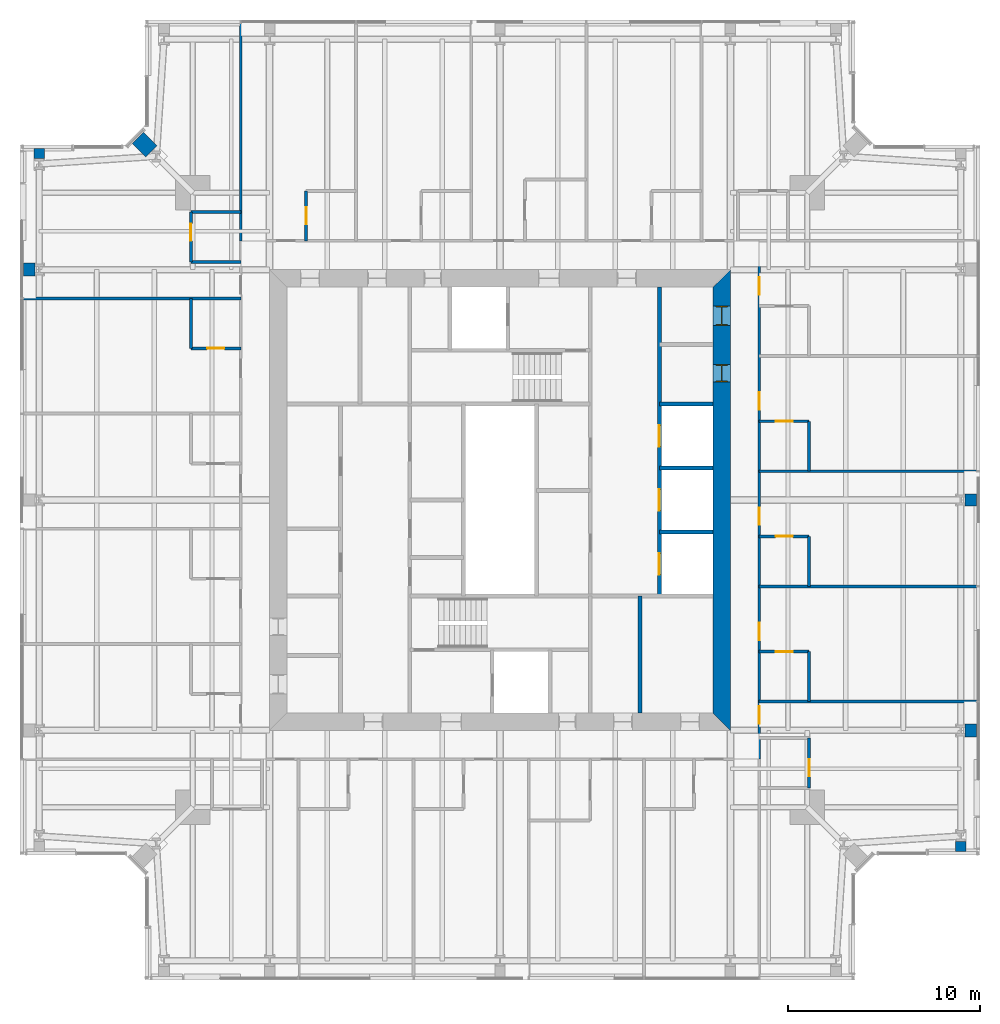
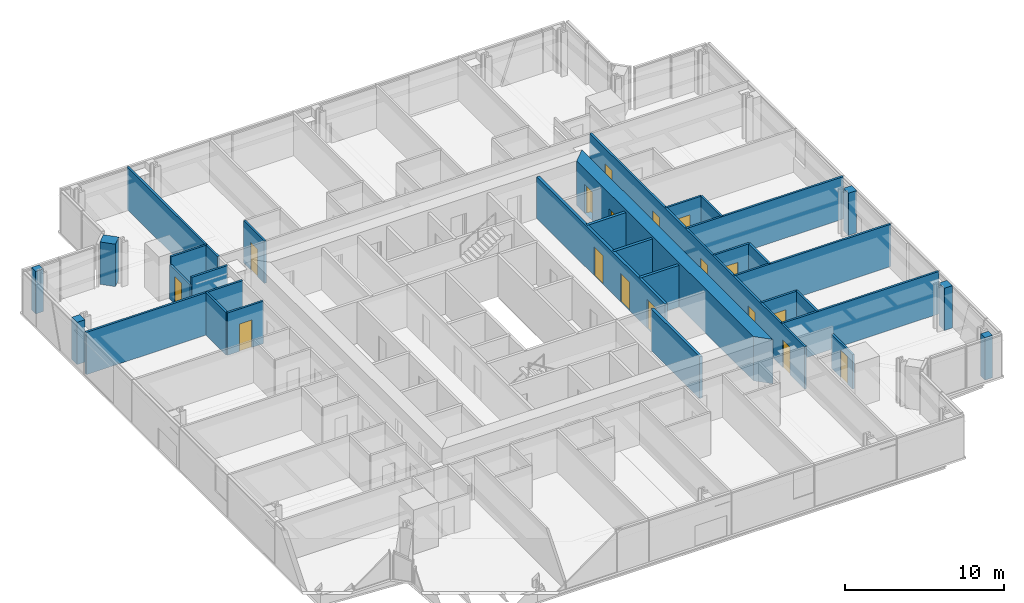
# One storey, part 13 of 20: 31 walls, 17 doors, 17 openings.
"""IFC4 building model written with IfcOpenShell, lengths in metres."""

from ifc_helpers import new_model, si_unit, direction, frame, frame_2d, origin, place, context, subcontext, project, spatial, polyline, rectangle, outline, extrude, material, layer, layer_set, type_object, element, fill, save


model = new_model("IFC4")

# Units and contexts
model_context = context("Model", 3, precision=1e-05, world=origin(), true_north=direction((0.0, 1.0)))
body_context = subcontext(model_context, "Body", "Model", "MODEL_VIEW")
ifc_project = project(units=[si_unit("LENGTHUNIT", "METRE"), si_unit("AREAUNIT", "SQUARE_METRE"), si_unit("VOLUMEUNIT", "CUBIC_METRE"), si_unit("PLANEANGLEUNIT", "RADIAN"), si_unit("MASSUNIT", "GRAM", prefix="KILO")], contexts=[model_context])

# Site, building, storey
site_placement = place(None, origin())
site = spatial("IfcSite", under=ifc_project, at=site_placement, CompositionType="ELEMENT")
building_placement = place(site_placement, origin())
building = spatial("IfcBuilding", under=site, at=building_placement, Name="Fenwick Lantern Interchange", CompositionType="ELEMENT")
storey_placement = place(building_placement, frame((0.0, 0.0, 249.199951171875)))
storey = spatial("IfcBuildingStorey", under=building, at=storey_placement, Name="L58", CompositionType="ELEMENT", Elevation=249.199951171875)

# Walls
ifc_material_1 = material(Name="Fire-rated gypsum board encasement on steel studs, 2 hour", Category="steel")
ifc_layer_1 = layer(ifc_material_1, 0.554931640625)
ifc_layer_set_1 = layer_set([ifc_layer_1], Name="COLUMN PIER 555")
wall_type_1 = type_object("IfcWallType", Name="COLUMN PIER 555", PredefinedType="PARTITIONING", material=ifc_layer_set_1)
for number, where, z_axis, x_axis, name in (
    (1, (49.0, 6.68994140625, 0.0), (0.0, 0.0, 1.0), (0.0, 1.0, 0.0), "L58/W/PIER/CE1"),
    (2, (1.0, 43.31005859375, 0.0), (0.0, 0.0, 1.0), (0.0, -1.0, 0.0), "L58/W/PIER/CW1"),
):
    element("IfcWall", number, at=place(storey_placement, frame(where, z_axis=z_axis, x_axis=x_axis)), inside=storey, type_object=wall_type_1, Name=name, PredefinedType="PARTITIONING", context=body_context, shape_type="SweptSolid", body=[
        extrude(rectangle(XDim=0.525634765625, YDim=0.554931640625, at=frame_2d((0.2626953125, 0.0))), origin(), (0.0, 0.0, 1.0), 3.25),
    ])
ifc_layer_2 = layer(ifc_material_1, 0.631103515625)
ifc_layer_set_2 = layer_set([ifc_layer_2], Name="COLUMN PIER 631")
wall_type_2 = type_object("IfcWallType", Name="COLUMN PIER 631", PredefinedType="PARTITIONING", material=ifc_layer_set_2)
wall_1_placement = place(storey_placement, frame((49.81005859375, 25.0, 0.0), z_axis=(0.0, 0.0, 1.0), x_axis=(-1.0, 0.0, 0.0)))
element("IfcWall", 3, at=wall_1_placement, inside=storey, type_object=wall_type_2, Name="L58/W/PIER/CE3", PredefinedType="PARTITIONING", context=body_context, shape_type="SweptSolid", body=[
    extrude(rectangle(XDim=0.589111328125, YDim=0.631103515625, at=frame_2d((0.29443359375, 0.0))), origin(), (0.0, 0.0, 1.0), 3.25),
])
ifc_layer_3 = layer(ifc_material_1, 0.6689453125)
ifc_layer_set_3 = layer_set([ifc_layer_3], Name="COLUMN PIER 669")
wall_type_3 = type_object("IfcWallType", Name="COLUMN PIER 669", PredefinedType="PARTITIONING", material=ifc_layer_set_3)
for number, where, z_axis, x_axis, name in (
    (4, (49.81005859375, 13.0, 0.0), (0.0, 0.0, 1.0), (-1.0, 0.0, 0.0), "L58/W/PIER/CE2"),
    (5, (0.18994140625, 37.0, 0.0), (0.0, 0.0, 1.0), (1.0, 0.0, 0.0), "L58/W/PIER/CW2"),
):
    element("IfcWall", number, at=place(storey_placement, frame(where, z_axis=z_axis, x_axis=x_axis)), inside=storey, type_object=wall_type_3, Name=name, PredefinedType="PARTITIONING", context=body_context, shape_type="SweptSolid", body=[
        extrude(rectangle(XDim=0.582763671875, YDim=0.6689453125, at=frame_2d((0.29150390625, 0.0))), origin(), (0.0, 0.0, 1.0), 3.25),
    ])
ifc_layer_4 = layer(ifc_material_1, 0.823974609375)
ifc_layer_set_4 = layer_set([ifc_layer_4], Name="COLUMN PIER 824")
wall_type_4 = type_object("IfcWallType", Name="COLUMN PIER 824", PredefinedType="PARTITIONING", material=ifc_layer_set_4)
wall_2_placement = place(storey_placement, frame((6.13427734375, 43.86572265625, 0.0), z_axis=(0.0, 0.0, 1.0), x_axis=(0.707106781187, -0.707106781187, 0.0)))
element("IfcWall", 6, at=wall_2_placement, inside=storey, type_object=wall_type_4, Name="L58/W/PIER/CNR", PredefinedType="PARTITIONING", context=body_context, shape_type="SweptSolid", body=[
    extrude(rectangle(XDim=1.003662109375, YDim=0.823974609375, at=frame_2d((0.501953125, 0.0))), origin(), (0.0, 0.0, 1.0), 3.25),
])
ifc_material_2 = material(Name="Concrete masonry ASTM C90 Grade N", Category="masonry")
ifc_layer_5 = layer(ifc_material_2, 0.199951171875)
ifc_layer_set_5 = layer_set([ifc_layer_5], Name="Concrete masonry ASTM C90 Grade N")
wall_type_5 = type_object("IfcWallType", Name="CORE PARTITION 200", PredefinedType="PARTITIONING", material=ifc_layer_set_5)
wall_3_placement = place(storey_placement, frame((32.300048828125, 13.89990234375, 0.0), z_axis=(0.0, 0.0, 1.0), x_axis=(0.0, 1.0, 0.0)))
element("IfcWall", 7, at=wall_3_placement, inside=storey, type_object=wall_type_5, Name="L58/W/CORES/i2", PredefinedType="PARTITIONING", context=body_context, shape_type="SweptSolid", body=[
    extrude(rectangle(XDim=6.10009765625, YDim=0.199951171875, at=frame_2d((3.050048828125, 0.0))), origin(), (0.0, 0.0, 1.0), 3.199951171875),
])

# Wall, openings, doors
wall_4_placement = place(storey_placement, frame((33.300048828125, 36.10009765625, 0.0), z_axis=(0.0, 0.0, 1.0), x_axis=(0.0, -1.0, 0.0)))
wall_4 = element("IfcWall", 8, at=wall_4_placement, inside=storey, type_object=wall_type_5, Name="L58/W/COREN/a", PredefinedType="PARTITIONING", context=body_context, shape_type="SweptSolid", body=[
    extrude(rectangle(XDim=16.10009765625, YDim=0.199951171875, at=frame_2d((8.050048828125, 0.0))), origin(), (0.0, 0.0, 1.0), 3.199951171875),
])
opening_1_placement = place(wall_4_placement, frame((7.216552734375, 0.0, 0.0)))
opening_1 = element("IfcOpeningElement", 9, at=opening_1_placement, cuts=wall_4, Name="Opening LD-E1-1", PredefinedType="OPENING", context=body_context, shape_type="SweptSolid", body=[
    extrude(rectangle(XDim=1.10009765625, YDim=2.199951171875, at=frame_2d((0.550048828125, 1.10009765625))), frame((0.0, 0.10986328125, 0.0), z_axis=(0.0, -1.0, 0.0), x_axis=(1.0, 0.0, 0.0)), (0.0, 0.0, 1.0), 0.219970703125),
])
opening_2_placement = place(wall_4_placement, frame((10.550048828125, 0.0, 0.0)))
opening_2 = element("IfcOpeningElement", 10, at=opening_2_placement, cuts=wall_4, Name="Opening LD-E1-2", PredefinedType="OPENING", context=body_context, shape_type="SweptSolid", body=[
    extrude(rectangle(XDim=1.10009765625, YDim=2.199951171875, at=frame_2d((0.550048828125, 1.10009765625))), frame((0.0, 0.10986328125, 0.0), z_axis=(0.0, -1.0, 0.0), x_axis=(1.0, 0.0, 0.0)), (0.0, 0.0, 1.0), 0.219970703125),
])
opening_3_placement = place(wall_4_placement, frame((13.88330078125, 0.0, 0.0)))
opening_3 = element("IfcOpeningElement", 11, at=opening_3_placement, cuts=wall_4, Name="Opening LD-E1-3", PredefinedType="OPENING", context=body_context, shape_type="SweptSolid", body=[
    extrude(rectangle(XDim=1.10009765625, YDim=2.199951171875, at=frame_2d((0.550048828125, 1.10009765625))), frame((0.0, 0.10986328125, 0.0), z_axis=(0.0, -1.0, 0.0), x_axis=(1.0, 0.0, 0.0)), (0.0, 0.0, 1.0), 0.219970703125),
])
ifc_material_3 = material(Name="Steel door and frame", Category="steel")
door_type_1 = type_object("IfcDoorType", Name="LIFT LANDING DOOR 1100 X 2200", OperationType="DOUBLE_DOOR_SLIDING", PredefinedType="DOOR", material=ifc_material_3)
door_1_placement = place(opening_1_placement, origin())
door_1 = element("IfcDoor", 12, at=door_1_placement, inside=storey, type_object=door_type_1, Name="Lift landing door E1-1", OperationType="DOUBLE_DOOR_SLIDING", OverallHeight=2.199951171875, OverallWidth=1.10009765625, PredefinedType="DOOR", context=body_context, shape_type="SweptSolid", body=[
    extrude(rectangle(XDim=1.10009765625, YDim=2.199951171875, at=frame_2d((0.550048828125, 1.10009765625))), frame((0.0, 0.02490234375, 0.0), z_axis=(0.0, -1.0, 0.0), x_axis=(1.0, 0.0, 0.0)), (0.0, 0.0, 1.0), 0.050048828125),
])
fill(opening_1, door_1)
door_2_placement = place(opening_2_placement, origin())
door_2 = element("IfcDoor", 13, at=door_2_placement, inside=storey, type_object=door_type_1, Name="Lift landing door E1-2", OperationType="DOUBLE_DOOR_SLIDING", OverallHeight=2.199951171875, OverallWidth=1.10009765625, PredefinedType="DOOR", context=body_context, shape_type="SweptSolid", body=[
    extrude(rectangle(XDim=1.10009765625, YDim=2.199951171875, at=frame_2d((0.550048828125, 1.10009765625))), frame((0.0, 0.02490234375, 0.0), z_axis=(0.0, -1.0, 0.0), x_axis=(1.0, 0.0, 0.0)), (0.0, 0.0, 1.0), 0.050048828125),
])
fill(opening_2, door_2)
door_3_placement = place(opening_3_placement, origin())
door_3 = element("IfcDoor", 14, at=door_3_placement, inside=storey, type_object=door_type_1, Name="Lift landing door E1-3", OperationType="DOUBLE_DOOR_SLIDING", OverallHeight=2.199951171875, OverallWidth=1.10009765625, PredefinedType="DOOR", context=body_context, shape_type="SweptSolid", body=[
    extrude(rectangle(XDim=1.10009765625, YDim=2.199951171875, at=frame_2d((0.550048828125, 1.10009765625))), frame((0.0, 0.02490234375, 0.0), z_axis=(0.0, -1.0, 0.0), x_axis=(1.0, 0.0, 0.0)), (0.0, 0.0, 1.0), 0.050048828125),
])
fill(opening_3, door_3)

# Walls
for number, where, z_axis, x_axis, name in (
    (15, (36.10009765625, 30.0, 0.0), (0.0, 0.0, 1.0), (-1.0, 0.0, 0.0), "L58/W/COREN/c2"),
    (16, (36.10009765625, 26.666748046875, 0.0), (0.0, 0.0, 1.0), (-1.0, 0.0, 0.0), "L58/W/COREN/d1"),
    (17, (36.10009765625, 23.333251953125, 0.0), (0.0, 0.0, 1.0), (-1.0, 0.0, 0.0), "L58/W/COREN/d2"),
):
    element("IfcWall", number, at=place(storey_placement, frame(where, z_axis=z_axis, x_axis=x_axis)), inside=storey, type_object=wall_type_5, Name=name, PredefinedType="PARTITIONING", context=body_context, shape_type="SweptSolid", body=[
        extrude(rectangle(XDim=2.800048828125, YDim=0.199951171875, at=frame_2d((1.39990234375, 0.0))), origin(), (0.0, 0.0, 1.0), 3.199951171875),
    ])

# Wall, openings, doors
ifc_material_4 = material(Name="Concrete f'c 70 MPa", Category="concrete")
ifc_layer_6 = layer(ifc_material_4, 0.89990234375)
ifc_layer_set_6 = layer_set([ifc_layer_6], Name="CORE WALL 900")
wall_type_6 = type_object("IfcWallType", Name="CORE WALL 900", PredefinedType="SHEAR", material=ifc_layer_set_6)
wall_5_placement = place(storey_placement, frame((36.550048828125, 13.89990234375, 0.0), z_axis=(0.0, 0.0, 1.0), x_axis=(0.0, 1.0, 0.0)))
wall_5 = element("IfcWall", 18, at=wall_5_placement, inside=storey, type_object=wall_type_6, Name="L58/CORE/E", PredefinedType="SHEAR", context=body_context, shape_type="SweptSolid", body=[
    extrude(outline(polyline([(-0.89990234375, -0.449951171875), (23.10009765625, -0.449951171875), (22.199951171875, 0.449951171875), (0.0, 0.449951171875), (-0.89990234375, -0.449951171875)])), origin(), (0.0, 0.0, 1.0), 3.400146484375),
])
opening_4_placement = place(wall_5_placement, frame((20.199951171875, 0.0, 0.0)))
opening_4 = element("IfcOpeningElement", 19, at=opening_4_placement, cuts=wall_5, Name="Opening L58-D020", PredefinedType="OPENING", context=body_context, shape_type="SweptSolid", body=[
    extrude(rectangle(XDim=1.0, YDim=2.199951171875, at=frame_2d((0.5, 1.10009765625))), frame((0.0, 0.4599609375, 0.0), z_axis=(0.0, -1.0, 0.0), x_axis=(1.0, 0.0, 0.0)), (0.0, 0.0, 1.0), 0.919921875),
])
opening_5_placement = place(wall_5_placement, frame((17.25, 0.0, 0.0)))
opening_5 = element("IfcOpeningElement", 20, at=opening_5_placement, cuts=wall_5, Name="Opening L58-D021", PredefinedType="OPENING", context=body_context, shape_type="SweptSolid", body=[
    extrude(rectangle(XDim=0.89990234375, YDim=2.199951171875, at=frame_2d((0.449951171875, 1.10009765625))), frame((0.0, 0.4599609375, 0.0), z_axis=(0.0, -1.0, 0.0), x_axis=(1.0, 0.0, 0.0)), (0.0, 0.0, 1.0), 0.919921875),
])
door_type_2 = type_object("IfcDoorType", Name="SERVICE DOOR 900 X 2200", OperationType="SINGLE_SWING_LEFT", PredefinedType="DOOR", material=ifc_material_3)
door_4_placement = place(opening_5_placement, origin())
door_4 = element("IfcDoor", 21, at=door_4_placement, inside=storey, type_object=door_type_2, Name="Service door", OperationType="SINGLE_SWING_RIGHT", OverallHeight=2.199951171875, OverallWidth=0.89990234375, PredefinedType="DOOR", context=body_context, shape_type="SweptSolid", body=[
    extrude(rectangle(XDim=0.89990234375, YDim=2.199951171875, at=frame_2d((0.449951171875, 1.10009765625))), frame((0.0, 0.02490234375, 0.0), z_axis=(0.0, -1.0, 0.0), x_axis=(1.0, 0.0, 0.0)), (0.0, 0.0, 1.0), 0.050048828125),
    extrude(outline(polyline([(0.0, 0.0), (0.0400390625, 0.0), (0.0400390625, 2.159912109375), (0.85986328125, 2.159912109375), (0.85986328125, 0.0), (0.89990234375, 0.0), (0.89990234375, 2.199951171875), (0.0, 2.199951171875), (0.0, 0.0)])), frame((0.0, 0.300048828125, 0.0), z_axis=(0.0, -1.0, 0.0), x_axis=(1.0, 0.0, 0.0)), (0.0, 0.0, 1.0), 0.60009765625),
])
fill(opening_5, door_4)
ifc_material_5 = material(Name="Hardwood door and steel frame", Category="steel")
door_type_3 = type_object("IfcDoorType", Name="WC DOOR 1000 X 2200", OperationType="SINGLE_SWING_LEFT", PredefinedType="DOOR", material=ifc_material_5)
door_5_placement = place(opening_4_placement, origin())
door_5 = element("IfcDoor", 22, at=door_5_placement, inside=storey, type_object=door_type_3, Name="Wc door", OperationType="SINGLE_SWING_LEFT", OverallHeight=2.199951171875, OverallWidth=1.0, PredefinedType="DOOR", context=body_context, shape_type="SweptSolid", body=[
    extrude(rectangle(XDim=1.0, YDim=2.199951171875, at=frame_2d((0.5, 1.10009765625))), frame((0.0, 0.02490234375, 0.0), z_axis=(0.0, -1.0, 0.0), x_axis=(1.0, 0.0, 0.0)), (0.0, 0.0, 1.0), 0.050048828125),
    extrude(outline(polyline([(0.0, 0.0), (0.0400390625, 0.0), (0.0400390625, 2.159912109375), (0.9599609375, 2.159912109375), (0.9599609375, 0.0), (1.0, 0.0), (1.0, 2.199951171875), (0.0, 2.199951171875), (0.0, 0.0)])), frame((0.0, 0.300048828125, 0.0), z_axis=(0.0, -1.0, 0.0), x_axis=(1.0, 0.0, 0.0)), (0.0, 0.0, 1.0), 0.60009765625),
])
fill(opening_4, door_5)

ifc_material_6 = material(Name="Gypsum board on steel studs, 1 hour", Category="steel")
ifc_layer_7 = layer(ifc_material_6, 0.14990234375)
ifc_layer_set_7 = layer_set([ifc_layer_7], Name="CORRIDOR WALL 150")
wall_type_7 = type_object("IfcWallType", Name="CORRIDOR WALL 150", PredefinedType="PARTITIONING", material=ifc_layer_set_7)
wall_6_placement = place(storey_placement, frame((38.5, 11.5, 0.0), z_axis=(0.0, 0.0, 1.0), x_axis=(0.0, 1.0, 0.0)))
wall_6 = element("IfcWall", 23, at=wall_6_placement, inside=storey, type_object=wall_type_7, Name="L58/W/HOTEL/E/CW", PredefinedType="PARTITIONING", context=body_context, shape_type="SweptSolid", body=[
    extrude(rectangle(XDim=27.0, YDim=0.14990234375, at=frame_2d((13.5, 0.0))), origin(), (0.0, 0.0, 1.0), 3.25),
])
opening_6_placement = place(wall_6_placement, frame((1.85009765625, 0.0, 0.0)))
opening_6 = element("IfcOpeningElement", 24, at=opening_6_placement, cuts=wall_6, Name="Opening L58-D034", PredefinedType="OPENING", context=body_context, shape_type="SweptSolid", body=[
    extrude(rectangle(XDim=0.89990234375, YDim=2.10009765625, at=frame_2d((0.449951171875, 1.050048828125))), frame((0.0, 0.0849609375, 0.0), z_axis=(0.0, -1.0, 0.0), x_axis=(1.0, 0.0, 0.0)), (0.0, 0.0, 1.0), 0.169921875),
])
opening_7_placement = place(wall_6_placement, frame((6.199951171875, 0.0, 0.0)))
opening_7 = element("IfcOpeningElement", 25, at=opening_7_placement, cuts=wall_6, Name="Opening L58-D037", PredefinedType="OPENING", context=body_context, shape_type="SweptSolid", body=[
    extrude(rectangle(XDim=0.89990234375, YDim=2.10009765625, at=frame_2d((0.449951171875, 1.050048828125))), frame((0.0, 0.0849609375, 0.0), z_axis=(0.0, -1.0, 0.0), x_axis=(1.0, 0.0, 0.0)), (0.0, 0.0, 1.0), 0.169921875),
])
opening_8_placement = place(wall_6_placement, frame((12.199951171875, 0.0, 0.0)))
opening_8 = element("IfcOpeningElement", 26, at=opening_8_placement, cuts=wall_6, Name="Opening L58-D039", PredefinedType="OPENING", context=body_context, shape_type="SweptSolid", body=[
    extrude(rectangle(XDim=0.89990234375, YDim=2.10009765625, at=frame_2d((0.449951171875, 1.050048828125))), frame((0.0, 0.0849609375, 0.0), z_axis=(0.0, -1.0, 0.0), x_axis=(1.0, 0.0, 0.0)), (0.0, 0.0, 1.0), 0.169921875),
])
opening_9_placement = place(wall_6_placement, frame((18.199951171875, 0.0, 0.0)))
opening_9 = element("IfcOpeningElement", 27, at=opening_9_placement, cuts=wall_6, Name="Opening L58-D041", PredefinedType="OPENING", context=body_context, shape_type="SweptSolid", body=[
    extrude(rectangle(XDim=0.89990234375, YDim=2.10009765625, at=frame_2d((0.449951171875, 1.050048828125))), frame((0.0, 0.0849609375, 0.0), z_axis=(0.0, -1.0, 0.0), x_axis=(1.0, 0.0, 0.0)), (0.0, 0.0, 1.0), 0.169921875),
])
opening_10_placement = place(wall_6_placement, frame((24.199951171875, 0.0, 0.0)))
opening_10 = element("IfcOpeningElement", 28, at=opening_10_placement, cuts=wall_6, Name="Opening L58-D043", PredefinedType="OPENING", context=body_context, shape_type="SweptSolid", body=[
    extrude(rectangle(XDim=0.89990234375, YDim=2.10009765625, at=frame_2d((0.449951171875, 1.050048828125))), frame((0.0, 0.0849609375, 0.0), z_axis=(0.0, -1.0, 0.0), x_axis=(1.0, 0.0, 0.0)), (0.0, 0.0, 1.0), 0.169921875),
])
door_type_4 = type_object("IfcDoorType", Name="GUEST ROOM DOOR 900 X 2100", OperationType="SINGLE_SWING_LEFT", PredefinedType="DOOR", material=ifc_material_3)
door_6_placement = place(opening_6_placement, frame((0.89990234375, 0.0, 0.0), z_axis=(0.0, 0.0, 1.0), x_axis=(-1.0, 0.0, 0.0)))
door_6 = element("IfcDoor", 29, at=door_6_placement, inside=storey, type_object=door_type_4, Name="Guest room door", OperationType="SINGLE_SWING_LEFT", OverallHeight=2.10009765625, OverallWidth=0.89990234375, PredefinedType="DOOR", context=body_context, shape_type="SweptSolid", body=[
    extrude(rectangle(XDim=0.89990234375, YDim=2.10009765625, at=frame_2d((0.449951171875, 1.050048828125))), frame((0.0, 0.02490234375, 0.0), z_axis=(0.0, -1.0, 0.0), x_axis=(1.0, 0.0, 0.0)), (0.0, 0.0, 1.0), 0.050048828125),
])
fill(opening_6, door_6)
door_7_placement = place(opening_7_placement, frame((0.89990234375, 0.0, 0.0), z_axis=(0.0, 0.0, 1.0), x_axis=(-1.0, 0.0, 0.0)))
door_7 = element("IfcDoor", 30, at=door_7_placement, inside=storey, type_object=door_type_4, Name="Guest room door", OperationType="SINGLE_SWING_RIGHT", OverallHeight=2.10009765625, OverallWidth=0.89990234375, PredefinedType="DOOR", context=body_context, shape_type="SweptSolid", body=[
    extrude(rectangle(XDim=0.89990234375, YDim=2.10009765625, at=frame_2d((0.449951171875, 1.050048828125))), frame((0.0, 0.02490234375, 0.0), z_axis=(0.0, -1.0, 0.0), x_axis=(1.0, 0.0, 0.0)), (0.0, 0.0, 1.0), 0.050048828125),
])
fill(opening_7, door_7)
door_8_placement = place(opening_8_placement, frame((0.89990234375, 0.0, 0.0), z_axis=(0.0, 0.0, 1.0), x_axis=(-1.0, 0.0, 0.0)))
door_8 = element("IfcDoor", 31, at=door_8_placement, inside=storey, type_object=door_type_4, Name="Guest room door", OperationType="SINGLE_SWING_RIGHT", OverallHeight=2.10009765625, OverallWidth=0.89990234375, PredefinedType="DOOR", context=body_context, shape_type="SweptSolid", body=[
    extrude(rectangle(XDim=0.89990234375, YDim=2.10009765625, at=frame_2d((0.449951171875, 1.050048828125))), frame((0.0, 0.02490234375, 0.0), z_axis=(0.0, -1.0, 0.0), x_axis=(1.0, 0.0, 0.0)), (0.0, 0.0, 1.0), 0.050048828125),
])
fill(opening_8, door_8)
door_9_placement = place(opening_9_placement, frame((0.89990234375, 0.0, 0.0), z_axis=(0.0, 0.0, 1.0), x_axis=(-1.0, 0.0, 0.0)))
door_9 = element("IfcDoor", 32, at=door_9_placement, inside=storey, type_object=door_type_4, Name="Guest room door", OperationType="SINGLE_SWING_RIGHT", OverallHeight=2.10009765625, OverallWidth=0.89990234375, PredefinedType="DOOR", context=body_context, shape_type="SweptSolid", body=[
    extrude(rectangle(XDim=0.89990234375, YDim=2.10009765625, at=frame_2d((0.449951171875, 1.050048828125))), frame((0.0, 0.02490234375, 0.0), z_axis=(0.0, -1.0, 0.0), x_axis=(1.0, 0.0, 0.0)), (0.0, 0.0, 1.0), 0.050048828125),
])
fill(opening_9, door_9)
door_10_placement = place(opening_10_placement, frame((0.89990234375, 0.0, 0.0), z_axis=(0.0, 0.0, 1.0), x_axis=(-1.0, 0.0, 0.0)))
door_10 = element("IfcDoor", 33, at=door_10_placement, inside=storey, type_object=door_type_4, Name="Guest room door", OperationType="SINGLE_SWING_RIGHT", OverallHeight=2.10009765625, OverallWidth=0.89990234375, PredefinedType="DOOR", context=body_context, shape_type="SweptSolid", body=[
    extrude(rectangle(XDim=0.89990234375, YDim=2.10009765625, at=frame_2d((0.449951171875, 1.050048828125))), frame((0.0, 0.02490234375, 0.0), z_axis=(0.0, -1.0, 0.0), x_axis=(1.0, 0.0, 0.0)), (0.0, 0.0, 1.0), 0.050048828125),
])
fill(opening_10, door_10)

# Wall, opening, door
ifc_material_7 = material(Name="Gypsum board on steel studs, moisture resistant", Category="steel")
ifc_layer_8 = layer(ifc_material_7, 0.14990234375)
ifc_layer_set_8 = layer_set([ifc_layer_8], Name="EN-SUITE WALL 150")
wall_type_8 = type_object("IfcWallType", Name="EN-SUITE WALL 150", PredefinedType="PARTITIONING", material=ifc_layer_set_8)
wall_7_placement = place(storey_placement, frame((41.10009765625, 10.0, 0.0), z_axis=(0.0, 0.0, 1.0), x_axis=(0.0, 1.0, 0.0)))
wall_7 = element("IfcWall", 34, at=wall_7_placement, inside=storey, type_object=wall_type_8, Name="L58/W/HOTEL/E/U1BW", PredefinedType="PARTITIONING", context=body_context, shape_type="SweptSolid", body=[
    extrude(rectangle(XDim=2.60009765625, YDim=0.14990234375, at=frame_2d((1.300048828125, 0.0))), origin(), (0.0, 0.0, 1.0), 2.637939453125),
])
opening_11_placement = place(wall_7_placement, frame((0.60009765625, 0.0, 0.0)))
opening_11 = element("IfcOpeningElement", 35, at=opening_11_placement, cuts=wall_7, Name="Opening L58-D035", PredefinedType="OPENING", context=body_context, shape_type="SweptSolid", body=[
    extrude(rectangle(XDim=0.89990234375, YDim=2.10009765625, at=frame_2d((0.449951171875, 1.050048828125))), frame((0.0, 0.0849609375, 0.0), z_axis=(0.0, -1.0, 0.0), x_axis=(1.0, 0.0, 0.0)), (0.0, 0.0, 1.0), 0.169921875),
])
door_type_5 = type_object("IfcDoorType", Name="EN-SUITE DOOR 900 X 2100", OperationType="SINGLE_SWING_LEFT", PredefinedType="DOOR", material=ifc_material_5)
door_11_placement = place(opening_11_placement, origin())
door_11 = element("IfcDoor", 36, at=door_11_placement, inside=storey, type_object=door_type_5, Name="En-suite door", OperationType="SINGLE_SWING_LEFT", OverallHeight=2.10009765625, OverallWidth=0.89990234375, PredefinedType="DOOR", context=body_context, shape_type="SweptSolid", body=[
    extrude(rectangle(XDim=0.89990234375, YDim=2.10009765625, at=frame_2d((0.449951171875, 1.050048828125))), frame((0.0, 0.02490234375, 0.0), z_axis=(0.0, -1.0, 0.0), x_axis=(1.0, 0.0, 0.0)), (0.0, 0.0, 1.0), 0.050048828125),
])
fill(opening_11, door_11)

# Wall
wall_8_placement = place(storey_placement, frame((41.10009765625, 14.5, 0.0), z_axis=(0.0, 0.0, 1.0), x_axis=(0.0, 1.0, 0.0)))
element("IfcWall", 37, at=wall_8_placement, inside=storey, type_object=wall_type_8, Name="L58/W/HOTEL/E/U2BW", PredefinedType="PARTITIONING", context=body_context, shape_type="SweptSolid", body=[
    extrude(rectangle(XDim=2.60009765625, YDim=0.14990234375, at=frame_2d((1.300048828125, 0.0))), origin(), (0.0, 0.0, 1.0), 3.25),
])

# Wall, opening, door
wall_9_placement = place(storey_placement, frame((41.10009765625, 17.10009765625, 0.0), z_axis=(0.0, 0.0, 1.0), x_axis=(-1.0, 0.0, 0.0)))
wall_9 = element("IfcWall", 38, at=wall_9_placement, inside=storey, type_object=wall_type_8, Name="L58/W/HOTEL/E/U2BX", PredefinedType="PARTITIONING", context=body_context, shape_type="SweptSolid", body=[
    extrude(rectangle(XDim=2.60009765625, YDim=0.14990234375, at=frame_2d((1.300048828125, 0.0))), origin(), (0.0, 0.0, 1.0), 3.25),
])
opening_12_placement = place(wall_9_placement, frame((0.85009765625, 0.0, 0.0)))
opening_12 = element("IfcOpeningElement", 39, at=opening_12_placement, cuts=wall_9, Name="Opening L58-D036", PredefinedType="OPENING", context=body_context, shape_type="SweptSolid", body=[
    extrude(rectangle(XDim=0.89990234375, YDim=2.10009765625, at=frame_2d((0.449951171875, 1.050048828125))), frame((0.0, 0.0849609375, 0.0), z_axis=(0.0, -1.0, 0.0), x_axis=(1.0, 0.0, 0.0)), (0.0, 0.0, 1.0), 0.169921875),
])
door_12_placement = place(opening_12_placement, origin())
door_12 = element("IfcDoor", 40, at=door_12_placement, inside=storey, type_object=door_type_5, Name="En-suite door", OperationType="SINGLE_SWING_LEFT", OverallHeight=2.10009765625, OverallWidth=0.89990234375, PredefinedType="DOOR", context=body_context, shape_type="SweptSolid", body=[
    extrude(rectangle(XDim=0.89990234375, YDim=2.10009765625, at=frame_2d((0.449951171875, 1.050048828125))), frame((0.0, 0.02490234375, 0.0), z_axis=(0.0, -1.0, 0.0), x_axis=(1.0, 0.0, 0.0)), (0.0, 0.0, 1.0), 0.050048828125),
])
fill(opening_12, door_12)

# Wall
wall_10_placement = place(storey_placement, frame((41.10009765625, 20.5, 0.0), z_axis=(0.0, 0.0, 1.0), x_axis=(0.0, 1.0, 0.0)))
element("IfcWall", 41, at=wall_10_placement, inside=storey, type_object=wall_type_8, Name="L58/W/HOTEL/E/U3BW", PredefinedType="PARTITIONING", context=body_context, shape_type="SweptSolid", body=[
    extrude(rectangle(XDim=2.60009765625, YDim=0.14990234375, at=frame_2d((1.300048828125, 0.0))), origin(), (0.0, 0.0, 1.0), 3.25),
])

# Wall, opening, door
wall_11_placement = place(storey_placement, frame((41.10009765625, 23.10009765625, 0.0), z_axis=(0.0, 0.0, 1.0), x_axis=(-1.0, 0.0, 0.0)))
wall_11 = element("IfcWall", 42, at=wall_11_placement, inside=storey, type_object=wall_type_8, Name="L58/W/HOTEL/E/U3BX", PredefinedType="PARTITIONING", context=body_context, shape_type="SweptSolid", body=[
    extrude(rectangle(XDim=2.60009765625, YDim=0.14990234375, at=frame_2d((1.300048828125, 0.0))), origin(), (0.0, 0.0, 1.0), 3.25),
])
opening_13_placement = place(wall_11_placement, frame((0.85009765625, 0.0, 0.0)))
opening_13 = element("IfcOpeningElement", 43, at=opening_13_placement, cuts=wall_11, Name="Opening L58-D038", PredefinedType="OPENING", context=body_context, shape_type="SweptSolid", body=[
    extrude(rectangle(XDim=0.89990234375, YDim=2.10009765625, at=frame_2d((0.449951171875, 1.050048828125))), frame((0.0, 0.0849609375, 0.0), z_axis=(0.0, -1.0, 0.0), x_axis=(1.0, 0.0, 0.0)), (0.0, 0.0, 1.0), 0.169921875),
])
door_13_placement = place(opening_13_placement, origin())
door_13 = element("IfcDoor", 44, at=door_13_placement, inside=storey, type_object=door_type_5, Name="En-suite door", OperationType="SINGLE_SWING_LEFT", OverallHeight=2.10009765625, OverallWidth=0.89990234375, PredefinedType="DOOR", context=body_context, shape_type="SweptSolid", body=[
    extrude(rectangle(XDim=0.89990234375, YDim=2.10009765625, at=frame_2d((0.449951171875, 1.050048828125))), frame((0.0, 0.02490234375, 0.0), z_axis=(0.0, -1.0, 0.0), x_axis=(1.0, 0.0, 0.0)), (0.0, 0.0, 1.0), 0.050048828125),
])
fill(opening_13, door_13)

# Wall
wall_12_placement = place(storey_placement, frame((41.10009765625, 26.5, 0.0), z_axis=(0.0, 0.0, 1.0), x_axis=(0.0, 1.0, 0.0)))
element("IfcWall", 45, at=wall_12_placement, inside=storey, type_object=wall_type_8, Name="L58/W/HOTEL/E/U4BW", PredefinedType="PARTITIONING", context=body_context, shape_type="SweptSolid", body=[
    extrude(rectangle(XDim=2.60009765625, YDim=0.14990234375, at=frame_2d((1.300048828125, 0.0))), origin(), (0.0, 0.0, 1.0), 3.25),
])

# Wall, opening, door
wall_13_placement = place(storey_placement, frame((41.10009765625, 29.10009765625, 0.0), z_axis=(0.0, 0.0, 1.0), x_axis=(-1.0, 0.0, 0.0)))
wall_13 = element("IfcWall", 46, at=wall_13_placement, inside=storey, type_object=wall_type_8, Name="L58/W/HOTEL/E/U4BX", PredefinedType="PARTITIONING", context=body_context, shape_type="SweptSolid", body=[
    extrude(rectangle(XDim=2.60009765625, YDim=0.14990234375, at=frame_2d((1.300048828125, 0.0))), origin(), (0.0, 0.0, 1.0), 3.25),
])
opening_14_placement = place(wall_13_placement, frame((0.85009765625, 0.0, 0.0)))
opening_14 = element("IfcOpeningElement", 47, at=opening_14_placement, cuts=wall_13, Name="Opening L58-D040", PredefinedType="OPENING", context=body_context, shape_type="SweptSolid", body=[
    extrude(rectangle(XDim=0.89990234375, YDim=2.10009765625, at=frame_2d((0.449951171875, 1.050048828125))), frame((0.0, 0.0849609375, 0.0), z_axis=(0.0, -1.0, 0.0), x_axis=(1.0, 0.0, 0.0)), (0.0, 0.0, 1.0), 0.169921875),
])
door_14_placement = place(opening_14_placement, origin())
door_14 = element("IfcDoor", 48, at=door_14_placement, inside=storey, type_object=door_type_5, Name="En-suite door", OperationType="SINGLE_SWING_LEFT", OverallHeight=2.10009765625, OverallWidth=0.89990234375, PredefinedType="DOOR", context=body_context, shape_type="SweptSolid", body=[
    extrude(rectangle(XDim=0.89990234375, YDim=2.10009765625, at=frame_2d((0.449951171875, 1.050048828125))), frame((0.0, 0.02490234375, 0.0), z_axis=(0.0, -1.0, 0.0), x_axis=(1.0, 0.0, 0.0)), (0.0, 0.0, 1.0), 0.050048828125),
])
fill(opening_14, door_14)

wall_14_placement = place(storey_placement, frame((14.89990234375, 41.10009765625, 0.0), z_axis=(0.0, 0.0, 1.0), x_axis=(0.0, -1.0, 0.0)))
wall_14 = element("IfcWall", 49, at=wall_14_placement, inside=storey, type_object=wall_type_8, Name="L58/W/HOTEL/N/U5BX", PredefinedType="PARTITIONING", context=body_context, shape_type="SweptSolid", body=[
    extrude(rectangle(XDim=2.60009765625, YDim=0.14990234375, at=frame_2d((1.300048828125, 0.0))), origin(), (0.0, 0.0, 1.0), 3.25),
])
opening_15_placement = place(wall_14_placement, frame((0.85009765625, 0.0, 0.0)))
opening_15 = element("IfcOpeningElement", 50, at=opening_15_placement, cuts=wall_14, Name="Opening L58-D052", PredefinedType="OPENING", context=body_context, shape_type="SweptSolid", body=[
    extrude(rectangle(XDim=0.89990234375, YDim=2.10009765625, at=frame_2d((0.449951171875, 1.050048828125))), frame((0.0, 0.0849609375, 0.0), z_axis=(0.0, -1.0, 0.0), x_axis=(1.0, 0.0, 0.0)), (0.0, 0.0, 1.0), 0.169921875),
])
door_15_placement = place(opening_15_placement, origin())
door_15 = element("IfcDoor", 51, at=door_15_placement, inside=storey, type_object=door_type_5, Name="En-suite door", OperationType="SINGLE_SWING_LEFT", OverallHeight=2.10009765625, OverallWidth=0.89990234375, PredefinedType="DOOR", context=body_context, shape_type="SweptSolid", body=[
    extrude(rectangle(XDim=0.89990234375, YDim=2.10009765625, at=frame_2d((0.449951171875, 1.050048828125))), frame((0.0, 0.02490234375, 0.0), z_axis=(0.0, -1.0, 0.0), x_axis=(1.0, 0.0, 0.0)), (0.0, 0.0, 1.0), 0.050048828125),
])
fill(opening_15, door_15)

wall_15_placement = place(storey_placement, frame((8.89990234375, 40.0, 0.0), z_axis=(0.0, 0.0, 1.0), x_axis=(0.0, -1.0, 0.0)))
wall_15 = element("IfcWall", 52, at=wall_15_placement, inside=storey, type_object=wall_type_8, Name="L58/W/HOTEL/W/U1BW", PredefinedType="PARTITIONING", context=body_context, shape_type="SweptSolid", body=[
    extrude(rectangle(XDim=2.60009765625, YDim=0.14990234375, at=frame_2d((1.300048828125, 0.0))), origin(), (0.0, 0.0, 1.0), 2.637939453125),
])
opening_16_placement = place(wall_15_placement, frame((0.60009765625, 0.0, 0.0)))
opening_16 = element("IfcOpeningElement", 53, at=opening_16_placement, cuts=wall_15, Name="Opening L58-D055", PredefinedType="OPENING", context=body_context, shape_type="SweptSolid", body=[
    extrude(rectangle(XDim=0.89990234375, YDim=2.10009765625, at=frame_2d((0.449951171875, 1.050048828125))), frame((0.0, 0.0849609375, 0.0), z_axis=(0.0, -1.0, 0.0), x_axis=(1.0, 0.0, 0.0)), (0.0, 0.0, 1.0), 0.169921875),
])
door_16_placement = place(opening_16_placement, origin())
door_16 = element("IfcDoor", 54, at=door_16_placement, inside=storey, type_object=door_type_5, Name="En-suite door", OperationType="SINGLE_SWING_LEFT", OverallHeight=2.10009765625, OverallWidth=0.89990234375, PredefinedType="DOOR", context=body_context, shape_type="SweptSolid", body=[
    extrude(rectangle(XDim=0.89990234375, YDim=2.10009765625, at=frame_2d((0.449951171875, 1.050048828125))), frame((0.0, 0.02490234375, 0.0), z_axis=(0.0, -1.0, 0.0), x_axis=(1.0, 0.0, 0.0)), (0.0, 0.0, 1.0), 0.050048828125),
])
fill(opening_16, door_16)

# Walls
for number, where, z_axis, x_axis, name in (
    (55, (8.89990234375, 40.0, 0.0), (0.0, 0.0, 1.0), (1.0, 0.0, 0.0), "L58/W/HOTEL/W/U1BX"),
    (56, (8.89990234375, 37.39990234375, 0.0), (0.0, 0.0, 1.0), (1.0, 0.0, 0.0), "L58/W/HOTEL/W/U1BE"),
    (57, (8.89990234375, 35.5, 0.0), (0.0, 0.0, 1.0), (0.0, -1.0, 0.0), "L58/W/HOTEL/W/U2BW"),
):
    element("IfcWall", number, at=place(storey_placement, frame(where, z_axis=z_axis, x_axis=x_axis)), inside=storey, type_object=wall_type_8, Name=name, PredefinedType="PARTITIONING", context=body_context, shape_type="SweptSolid", body=[
        extrude(rectangle(XDim=2.60009765625, YDim=0.14990234375, at=frame_2d((1.300048828125, 0.0))), origin(), (0.0, 0.0, 1.0), 3.25),
    ])

# Wall, opening, door
wall_16_placement = place(storey_placement, frame((8.89990234375, 32.89990234375, 0.0), z_axis=(0.0, 0.0, 1.0), x_axis=(1.0, 0.0, 0.0)))
wall_16 = element("IfcWall", 58, at=wall_16_placement, inside=storey, type_object=wall_type_8, Name="L58/W/HOTEL/W/U2BX", PredefinedType="PARTITIONING", context=body_context, shape_type="SweptSolid", body=[
    extrude(rectangle(XDim=2.60009765625, YDim=0.14990234375, at=frame_2d((1.300048828125, 0.0))), origin(), (0.0, 0.0, 1.0), 3.25),
])
opening_17_placement = place(wall_16_placement, frame((0.85009765625, 0.0, 0.0)))
opening_17 = element("IfcOpeningElement", 59, at=opening_17_placement, cuts=wall_16, Name="Opening L58-D056", PredefinedType="OPENING", context=body_context, shape_type="SweptSolid", body=[
    extrude(rectangle(XDim=0.89990234375, YDim=2.10009765625, at=frame_2d((0.449951171875, 1.050048828125))), frame((0.0, 0.0849609375, 0.0), z_axis=(0.0, -1.0, 0.0), x_axis=(1.0, 0.0, 0.0)), (0.0, 0.0, 1.0), 0.169921875),
])
door_17_placement = place(opening_17_placement, origin())
door_17 = element("IfcDoor", 60, at=door_17_placement, inside=storey, type_object=door_type_5, Name="En-suite door", OperationType="SINGLE_SWING_LEFT", OverallHeight=2.10009765625, OverallWidth=0.89990234375, PredefinedType="DOOR", context=body_context, shape_type="SweptSolid", body=[
    extrude(rectangle(XDim=0.89990234375, YDim=2.10009765625, at=frame_2d((0.449951171875, 1.050048828125))), frame((0.0, 0.02490234375, 0.0), z_axis=(0.0, -1.0, 0.0), x_axis=(1.0, 0.0, 0.0)), (0.0, 0.0, 1.0), 0.050048828125),
])
fill(opening_17, door_17)

# Walls
ifc_material_8 = material(Name="Gypsum board on steel studs, 1 hour acoustic", Category="steel")
ifc_layer_9 = layer(ifc_material_8, 0.14990234375)
ifc_layer_set_9 = layer_set([ifc_layer_9], Name="PARTY WALL 150")
wall_type_9 = type_object("IfcWallType", Name="PARTY WALL 150", PredefinedType="PARTITIONING", material=ifc_layer_set_9)
for number, where, z_axis, x_axis, name in (
    (61, (49.85009765625, 14.5, 0.0), (0.0, 0.0, 1.0), (-1.0, 0.0, 0.0), "L58/W/HOTEL/E/U2PW"),
    (62, (49.85009765625, 20.5, 0.0), (0.0, 0.0, 1.0), (-1.0, 0.0, 0.0), "L58/W/HOTEL/E/U3PW"),
    (63, (49.85009765625, 26.5, 0.0), (0.0, 0.0, 1.0), (-1.0, 0.0, 0.0), "L58/W/HOTEL/E/U4PW"),
    (64, (11.5, 49.85009765625, 0.0), (0.0, 0.0, 1.0), (0.0, -1.0, 0.0), "L58/W/HOTEL/W/SW3"),
    (65, (0.14990234375, 35.5, 0.0), (0.0, 0.0, 1.0), (1.0, 0.0, 0.0), "L58/W/HOTEL/W/U2PW"),
):
    element("IfcWall", number, at=place(storey_placement, frame(where, z_axis=z_axis, x_axis=x_axis)), inside=storey, type_object=wall_type_9, Name=name, PredefinedType="PARTITIONING", context=body_context, shape_type="SweptSolid", body=[
        extrude(rectangle(XDim=11.35009765625, YDim=0.14990234375, at=frame_2d((5.675048828125, 0.0))), origin(), (0.0, 0.0, 1.0), 3.25),
    ])

save(model, "model.ifc")
